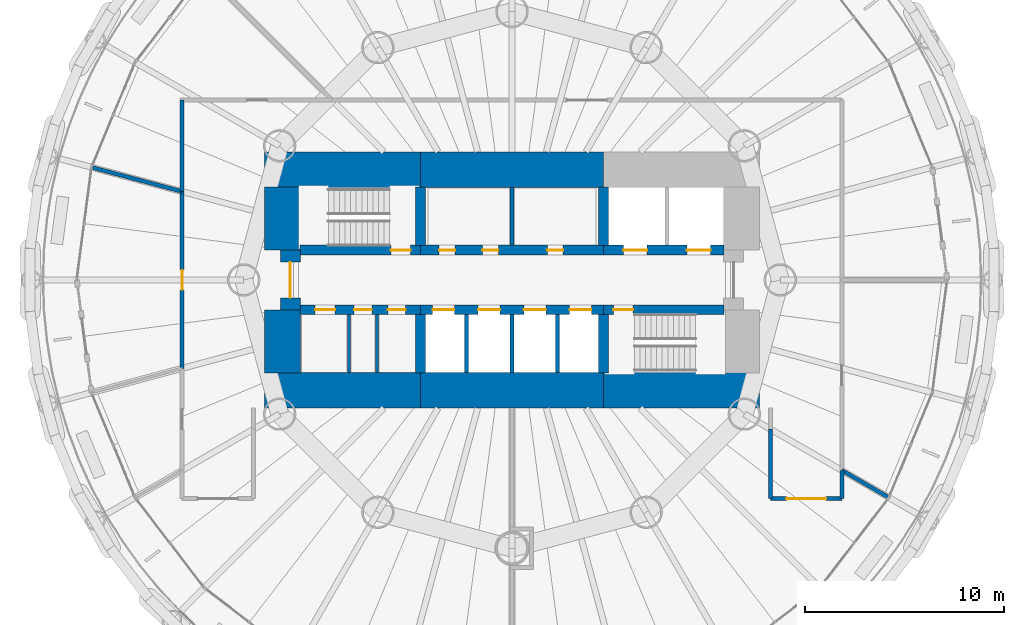
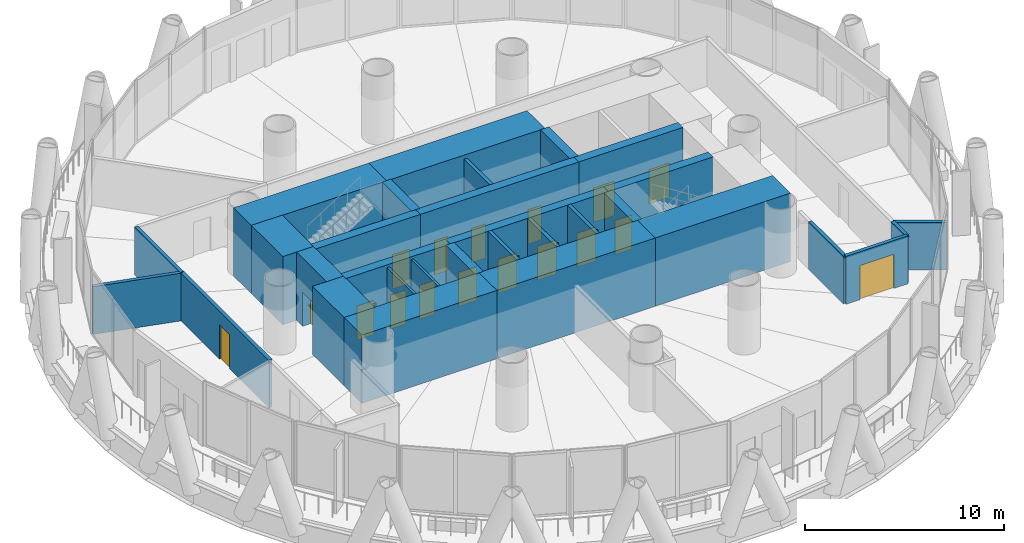
# One storey, part 10 of 15: 31 walls, 17 doors, 17 openings.
"""IFC4 building model written with IfcOpenShell, lengths in metres."""

import ifcopenshell
import ifcopenshell.guid

model = None  # the IFC model being written
_history = None  # IfcOwnerHistory: only IFC2X3 demands one
_inside = {}  # id of a spatial element -> (the spatial element, [elements in it])
_under = {}  # id of a project, library or spatial element -> (it, [spatial elements below it])
_declared = {}  # id of a project -> (the project, [libraries it declares])
_typed = {}  # id of a type object -> (the type object, [elements of that type])
_made_of = {}  # id of a material, layer set ... -> (it, [elements and type objects made of it])


def new_model(schema):
    """Start an empty IFC model of exactly this schema.

    Asked for "IFC4X3", IfcOpenShell would pick the latest addendum, in which some entities
    have other attributes; the version numbers below select the first issue.
    IFC2X3 requires an IfcOwnerHistory on every rooted entity: one is made here for all.
    """
    global model, _history
    if schema == "IFC4X3":
        model = ifcopenshell.file(schema_version=(4, 3, 0, 0))
    else:
        model = ifcopenshell.file(schema=schema)
    _inside.clear()
    _under.clear()
    _declared.clear()
    _typed.clear()
    _made_of.clear()
    _history = None
    if model.schema == "IFC2X3":
        org = make("IfcOrganization", Name="unknown")
        user = make(
            "IfcPersonAndOrganization",
            ThePerson=make("IfcPerson", FamilyName="unknown"),
            TheOrganization=org,
        )
        app = make(
            "IfcApplication",
            ApplicationDeveloper=org,
            Version="unknown",
            ApplicationFullName="unknown",
            ApplicationIdentifier="unknown",
        )
        _history = make(
            "IfcOwnerHistory",
            OwningUser=user,
            OwningApplication=app,
            ChangeAction="ADDED",
            CreationDate=0,
        )
    return model


def make(cls, **values):
    """One entity of the class cls with the attributes given. An attribute that is None is left unset."""
    return model.create_entity(
        cls, **{name: value for name, value in values.items() if value is not None}
    )


def rooted(cls, **values):
    """An entity with a GlobalId (a new one), such as an element, a storey or a relation."""
    return make(cls, GlobalId=ifcopenshell.guid.new(), OwnerHistory=_history, **values)


def si_unit(unit_type, name, prefix=None):
    """IfcSIUnit, for example si_unit("LENGTHUNIT", "METRE", prefix="MILLI")."""
    return make("IfcSIUnit", UnitType=unit_type, Prefix=prefix, Name=name)


def assignment(units):
    """IfcUnitAssignment: the units of a project."""
    return None if units is None else make("IfcUnitAssignment", Units=units)


def point(xyz):
    """IfcCartesianPoint."""
    return None if xyz is None else make("IfcCartesianPoint", Coordinates=xyz)


def direction(xyz):
    """IfcDirection."""
    return None if xyz is None else make("IfcDirection", DirectionRatios=xyz)


def frame(location, z_axis=None, x_axis=None):
    """IfcAxis2Placement3D, a coordinate frame: its origin and axes. An axis left out is left unset."""
    return make(
        "IfcAxis2Placement3D",
        Location=point(location),
        Axis=direction(z_axis),
        RefDirection=direction(x_axis),
    )


def frame_2d(location, x_axis=None):
    """IfcAxis2Placement2D, a coordinate frame in the plane: its origin and x axis."""
    return make(
        "IfcAxis2Placement2D", Location=point(location), RefDirection=direction(x_axis)
    )


def origin():
    """The frame at (0, 0, 0) with its axes left unset."""
    return frame((0.0, 0.0, 0.0))


def place(relative_to, where):
    """IfcLocalPlacement: puts the frame where relative to a parent placement (None: the world)."""
    return make(
        "IfcLocalPlacement", PlacementRelTo=relative_to, RelativePlacement=where
    )


def context(
    kind, dimensions, precision=None, world=None, true_north=None, identifier=None
):
    """IfcGeometricRepresentationContext, for example the 3D "Model" context."""
    return make(
        "IfcGeometricRepresentationContext",
        ContextIdentifier=identifier,
        ContextType=kind,
        CoordinateSpaceDimension=dimensions,
        Precision=precision,
        WorldCoordinateSystem=world,
        TrueNorth=true_north,
    )


def subcontext(parent, identifier, kind, view, scale=None):
    """IfcGeometricRepresentationSubContext, for example "Body" below "Model"."""
    return make(
        "IfcGeometricRepresentationSubContext",
        ContextIdentifier=identifier,
        ContextType=kind,
        ParentContext=parent,
        TargetScale=scale,
        TargetView=view,
    )


def project(units=None, contexts=None):
    """IfcProject with its units and contexts."""
    return rooted(
        "IfcProject",
        Name="project",
        RepresentationContexts=contexts,
        UnitsInContext=assignment(units),
    )


def spatial(cls, under=None, at=None, **own):
    """A site, building, storey or space (cls), placed at a placement, below another one or the project."""
    s = rooted(cls, ObjectPlacement=at, **own)
    if under is not None:
        _under.setdefault(under.id(), (under, []))[1].append(s)
    return s


def profile(cls, at=None, kind="AREA", **sizes):
    """A parametric profile (cls). Its sizes go by their IFC names, for example OverallWidth=200.0."""
    return make(cls, ProfileType=kind, Position=at, **sizes)


def rectangle(**sizes):
    """IfcRectangleProfileDef."""
    return profile("IfcRectangleProfileDef", **sizes)


def extrude(swept, where, along, depth):
    """IfcExtrudedAreaSolid: the profile swept, set in the frame where, extruded along a direction by depth."""
    return make(
        "IfcExtrudedAreaSolid",
        SweptArea=swept,
        Position=where,
        ExtrudedDirection=direction(along),
        Depth=depth,
    )


def shape(context_of_items, identifier, shape_type, items):
    """IfcShapeRepresentation: the items that make up one representation, for example the "Body"."""
    return make(
        "IfcShapeRepresentation",
        ContextOfItems=context_of_items,
        RepresentationIdentifier=identifier,
        RepresentationType=shape_type,
        Items=items,
    )


def material(Name=None, Category=None):
    """IfcMaterial."""
    return make("IfcMaterial", Name=Name, Category=Category)


def layer(
    of_material, thickness, ventilated=None, Name=None, Category=None, Priority=None
):
    """IfcMaterialLayer: one layer of a wall or slab, of a material (None: an air gap)."""
    return make(
        "IfcMaterialLayer",
        Material=of_material,
        LayerThickness=thickness,
        IsVentilated=ventilated,
        Name=Name,
        Category=Category,
        Priority=Priority,
    )


def layer_set(layers, Name=None):
    """IfcMaterialLayerSet."""
    return make("IfcMaterialLayerSet", MaterialLayers=layers, LayerSetName=Name)


def made_of(thing, what):
    """Note that an element or type object is made of a material, layer set ...; save() writes the relation."""
    if what is not None:
        _made_of.setdefault(what.id(), (what, []))[1].append(thing)
    return thing


def type_object(cls, material=None, **own):
    """A type object (cls), such as IfcWallType, which elements share."""
    return made_of(rooted(cls, **own), material)


def element(
    cls,
    number,
    at=None,
    inside=None,
    cuts=None,
    type_object=None,
    material=None,
    context=None,
    identifier="Body",
    shape_type=None,
    held_by="IfcProductDefinitionShape",
    body=None,
    shapes=None,
    **own,
):
    """One element of the class cls, such as IfcWall. Its Tag is "e" and its number.

    at: its placement. inside: the storey or other place that contains it. cuts: it is an
    opening in that element (IfcRelVoidsElement). A single representation is given by context,
    identifier, shape_type and body (its items); several are given by shapes. held_by: the class
    of the entity that holds the representations. save() writes the other relations.
    """
    e = rooted(cls, Tag="e%d" % number, ObjectPlacement=at, **own)
    if body is not None:
        shapes = [shape(context, identifier, shape_type, body)]
    if shapes is not None:
        e.Representation = make(held_by, Representations=shapes)
    if inside is not None:
        _inside.setdefault(inside.id(), (inside, []))[1].append(e)
    if cuts is not None:
        rooted(
            "IfcRelVoidsElement", RelatingBuildingElement=cuts, RelatedOpeningElement=e
        )
    if type_object is not None:
        _typed.setdefault(type_object.id(), (type_object, []))[1].append(e)
    return made_of(e, material)


def fill(opening, filler):
    """IfcRelFillsElement: the door or window that sits in an opening."""
    return rooted(
        "IfcRelFillsElement",
        RelatingOpeningElement=opening,
        RelatedBuildingElement=filler,
    )


def aggregate(whole, parts):
    """IfcRelAggregates: a whole, such as a stair, and the parts it consists of."""
    return rooted("IfcRelAggregates", RelatingObject=whole, RelatedObjects=parts)


def save(model, path):
    """Write the relations noted so far, then the file.

    IfcRelAggregates (storeys below a building ...), IfcRelContainedInSpatialStructure (elements
    in a storey), IfcRelDefinesByType, IfcRelAssociatesMaterial and IfcRelDeclares: one each for
    every whole, place, type object, material and project.
    """
    for whole, parts in _under.values():
        aggregate(whole, parts)
    for where, things in _inside.values():
        rooted(
            "IfcRelContainedInSpatialStructure",
            RelatedElements=things,
            RelatingStructure=where,
        )
    for kind, things in _typed.values():
        rooted("IfcRelDefinesByType", RelatedObjects=things, RelatingType=kind)
    for what, things in _made_of.values():
        rooted("IfcRelAssociatesMaterial", RelatedObjects=things, RelatingMaterial=what)
    for by, libraries in _declared.values():
        rooted("IfcRelDeclares", RelatingContext=by, RelatedDefinitions=libraries)
    model.write(path)


model = new_model("IFC4")

# Units and contexts
model_context = context("Model", 3, precision=1e-05, world=origin(), true_north=direction((0.0, 1.0)))
body_context = subcontext(model_context, "Body", "Model", "MODEL_VIEW")
ifc_project = project(units=[si_unit("LENGTHUNIT", "METRE"), si_unit("AREAUNIT", "SQUARE_METRE"), si_unit("VOLUMEUNIT", "CUBIC_METRE"), si_unit("PLANEANGLEUNIT", "RADIAN"), si_unit("MASSUNIT", "GRAM", prefix="KILO")], contexts=[model_context])

# Site, building, storey
site_placement = place(None, origin())
site = spatial("IfcSite", under=ifc_project, at=site_placement, CompositionType="ELEMENT")
building_placement = place(site_placement, origin())
building = spatial("IfcBuilding", under=site, at=building_placement, Name="Qaws Media Tower", CompositionType="ELEMENT")
storey_placement = place(building_placement, frame((0.0, 0.0, 189.800048828125)))
storey = spatial("IfcBuildingStorey", under=building, at=storey_placement, Name="L43", CompositionType="ELEMENT", Elevation=189.800048828125)

# Wall, opening, door
ifc_material_1 = material(Name="Concrete C60/75", Category="concrete")
ifc_layer_1 = layer(ifc_material_1, 0.5)
ifc_layer_set_1 = layer_set([ifc_layer_1], Name="Core inner wall 500")
wall_type_1 = type_object("IfcWallType", Name="Core inner wall 500", PredefinedType="SHEAR", material=ifc_layer_set_1)
wall_1_placement = place(storey_placement, frame((49.330078125, 51.5, 0.0), z_axis=(0.0, 0.0, 1.0), x_axis=(1.0, 0.0, 0.0)))
wall_1 = element("IfcWall", 1, at=wall_1_placement, inside=storey, type_object=wall_type_1, Name="W339 SW12 core wall SPNW L43", PredefinedType="SHEAR", context=body_context, shape_type="SweptSolid", body=[
    extrude(rectangle(XDim=6.06982421875, YDim=0.5, at=frame_2d((3.034912109375, 0.0))), origin(), (0.0, 0.0, 1.0), 4.199951171875),
])
opening_1_placement = place(wall_1_placement, frame((4.570068359375, 0.0, 0.0)))
opening_1 = element("IfcOpeningElement", 2, at=opening_1_placement, cuts=wall_1, Name="Opening D1", PredefinedType="OPENING", context=body_context, shape_type="SweptSolid", body=[
    extrude(rectangle(XDim=1.0, YDim=2.10009765625, at=frame_2d((0.5, 1.050048828125))), frame((0.0, 0.260009765625, 0.0), z_axis=(0.0, -1.0, 0.0), x_axis=(1.0, 0.0, 0.0)), (0.0, 0.0, 1.0), 0.52001953125),
])
ifc_material_2 = material(Name="Steel, fire rated", Category="steel")
door_type_1 = type_object("IfcDoorType", Name="Stair door 1000 FD120", OperationType="SINGLE_SWING_LEFT", PredefinedType="DOOR", material=ifc_material_2)
door_1_placement = place(opening_1_placement, origin())
door_1 = element("IfcDoor", 3, at=door_1_placement, inside=storey, type_object=door_type_1, Name="D1 stair S1 door L43 in wall W339", OperationType="SINGLE_SWING_LEFT", OverallHeight=2.10009765625, OverallWidth=1.0, PredefinedType="DOOR", context=body_context, shape_type="SweptSolid", body=[
    extrude(rectangle(XDim=1.0, YDim=2.10009765625, at=frame_2d((0.5, 1.050048828125))), frame((0.0, 0.02490234375, 0.0), z_axis=(0.0, -1.0, 0.0), x_axis=(1.0, 0.0, 0.0)), (0.0, 0.0, 1.0), 0.050048828125),
])
fill(opening_1, door_1)

# Wall, openings, doors
wall_2_placement = place(storey_placement, frame((55.39990234375, 51.5, 0.0), z_axis=(0.0, 0.0, 1.0), x_axis=(1.0, 0.0, 0.0)))
wall_2 = element("IfcWall", 4, at=wall_2_placement, inside=storey, type_object=wall_type_1, Name="W332 SW12 core wall SPN L43", PredefinedType="SHEAR", context=body_context, shape_type="SweptSolid", body=[
    extrude(rectangle(XDim=9.2001953125, YDim=0.5, at=frame_2d((4.60009765625, 0.0))), origin(), (0.0, 0.0, 1.0), 4.199951171875),
])
opening_2_placement = place(wall_2_placement, frame((0.9375, 0.0, 0.0)))
opening_2 = element("IfcOpeningElement", 5, at=opening_2_placement, cuts=wall_2, Name="Opening D23", PredefinedType="OPENING", context=body_context, shape_type="SweptSolid", body=[
    extrude(rectangle(XDim=0.800048828125, YDim=2.10009765625, at=frame_2d((0.39990234375, 1.050048828125))), frame((0.0, 0.260009765625, 0.0), z_axis=(0.0, -1.0, 0.0), x_axis=(1.0, 0.0, 0.0)), (0.0, 0.0, 1.0), 0.52001953125),
])
opening_3_placement = place(wall_2_placement, frame((3.112548828125, 0.0, 0.0)))
opening_3 = element("IfcOpeningElement", 6, at=opening_3_placement, cuts=wall_2, Name="Opening D23", PredefinedType="OPENING", context=body_context, shape_type="SweptSolid", body=[
    extrude(rectangle(XDim=0.800048828125, YDim=2.10009765625, at=frame_2d((0.39990234375, 1.050048828125))), frame((0.0, 0.260009765625, 0.0), z_axis=(0.0, -1.0, 0.0), x_axis=(1.0, 0.0, 0.0)), (0.0, 0.0, 1.0), 0.52001953125),
])
opening_4_placement = place(wall_2_placement, frame((6.375, 0.0, 0.0)))
opening_4 = element("IfcOpeningElement", 7, at=opening_4_placement, cuts=wall_2, Name="Opening D23", PredefinedType="OPENING", context=body_context, shape_type="SweptSolid", body=[
    extrude(rectangle(XDim=0.800048828125, YDim=2.10009765625, at=frame_2d((0.39990234375, 1.050048828125))), frame((0.0, 0.260009765625, 0.0), z_axis=(0.0, -1.0, 0.0), x_axis=(1.0, 0.0, 0.0)), (0.0, 0.0, 1.0), 0.52001953125),
])
ifc_material_3 = material(Name="Steel, fire rated", Category="steel")
door_type_2 = type_object("IfcDoorType", Name="Core room door 800x2100", OperationType="SINGLE_SWING_LEFT", PredefinedType="DOOR", material=ifc_material_3)
door_2_placement = place(opening_2_placement, origin())
door_2 = element("IfcDoor", 8, at=door_2_placement, inside=storey, type_object=door_type_2, Name="D23 Ladies toilets door L43 1 in wall W332", OperationType="SINGLE_SWING_LEFT", OverallHeight=2.10009765625, OverallWidth=0.800048828125, PredefinedType="DOOR", context=body_context, shape_type="SweptSolid", body=[
    extrude(rectangle(XDim=0.800048828125, YDim=2.10009765625, at=frame_2d((0.39990234375, 1.050048828125))), frame((0.0, 0.02490234375, 0.0), z_axis=(0.0, -1.0, 0.0), x_axis=(1.0, 0.0, 0.0)), (0.0, 0.0, 1.0), 0.050048828125),
])
fill(opening_2, door_2)
door_3_placement = place(opening_3_placement, origin())
door_3 = element("IfcDoor", 9, at=door_3_placement, inside=storey, type_object=door_type_2, Name="D23 Ladies toilets door L43 2 in wall W332", OperationType="SINGLE_SWING_LEFT", OverallHeight=2.10009765625, OverallWidth=0.800048828125, PredefinedType="DOOR", context=body_context, shape_type="SweptSolid", body=[
    extrude(rectangle(XDim=0.800048828125, YDim=2.10009765625, at=frame_2d((0.39990234375, 1.050048828125))), frame((0.0, 0.02490234375, 0.0), z_axis=(0.0, -1.0, 0.0), x_axis=(1.0, 0.0, 0.0)), (0.0, 0.0, 1.0), 0.050048828125),
])
fill(opening_3, door_3)
door_4_placement = place(opening_4_placement, origin())
door_4 = element("IfcDoor", 10, at=door_4_placement, inside=storey, type_object=door_type_2, Name="D23 Gents toilets door L43 in wall W332", OperationType="SINGLE_SWING_LEFT", OverallHeight=2.10009765625, OverallWidth=0.800048828125, PredefinedType="DOOR", context=body_context, shape_type="SweptSolid", body=[
    extrude(rectangle(XDim=0.800048828125, YDim=2.10009765625, at=frame_2d((0.39990234375, 1.050048828125))), frame((0.0, 0.02490234375, 0.0), z_axis=(0.0, -1.0, 0.0), x_axis=(1.0, 0.0, 0.0)), (0.0, 0.0, 1.0), 0.050048828125),
])
fill(opening_4, door_4)

wall_3_placement = place(storey_placement, frame((64.60009765625, 51.5, 0.0), z_axis=(0.0, 0.0, 1.0), x_axis=(1.0, 0.0, 0.0)))
wall_3 = element("IfcWall", 11, at=wall_3_placement, inside=storey, type_object=wall_type_1, Name="W344 SW12 core wall SPNE L43", PredefinedType="SHEAR", context=body_context, shape_type="SweptSolid", body=[
    extrude(rectangle(XDim=6.06982421875, YDim=0.5, at=frame_2d((3.034912109375, 0.0))), origin(), (0.0, 0.0, 1.0), 4.199951171875),
])
opening_5_placement = place(wall_3_placement, frame((1.0, 0.0, 0.0)))
opening_5 = element("IfcOpeningElement", 12, at=opening_5_placement, cuts=wall_3, Name="Opening LD2", PredefinedType="OPENING", context=body_context, shape_type="SweptSolid", body=[
    extrude(rectangle(XDim=1.199951171875, YDim=2.10009765625, at=frame_2d((0.60009765625, 1.050048828125))), frame((0.0, 0.260009765625, 0.0), z_axis=(0.0, -1.0, 0.0), x_axis=(1.0, 0.0, 0.0)), (0.0, 0.0, 1.0), 0.52001953125),
])
opening_6_placement = place(wall_3_placement, frame((4.199951171875, 0.0, 0.0)))
opening_6 = element("IfcOpeningElement", 13, at=opening_6_placement, cuts=wall_3, Name="Opening LD2", PredefinedType="OPENING", context=body_context, shape_type="SweptSolid", body=[
    extrude(rectangle(XDim=1.199951171875, YDim=2.10009765625, at=frame_2d((0.60009765625, 1.050048828125))), frame((0.0, 0.260009765625, 0.0), z_axis=(0.0, -1.0, 0.0), x_axis=(1.0, 0.0, 0.0)), (0.0, 0.0, 1.0), 0.52001953125),
])
ifc_material_4 = material(Name="Steel, fire rated", Category="steel")
door_type_3 = type_object("IfcDoorType", Name="Lift landing door 1200", OperationType="SLIDING_TO_LEFT", PredefinedType="DOOR", material=ifc_material_4)
door_5_placement = place(opening_5_placement, origin())
door_5 = element("IfcDoor", 14, at=door_5_placement, inside=storey, type_object=door_type_3, Name="FL1 landing door L43 in wall W344", OperationType="SLIDING_TO_LEFT", OverallHeight=2.10009765625, OverallWidth=1.199951171875, PredefinedType="DOOR", context=body_context, shape_type="SweptSolid", body=[
    extrude(rectangle(XDim=1.199951171875, YDim=2.10009765625, at=frame_2d((0.60009765625, 1.050048828125))), frame((0.0, 0.02490234375, 0.0), z_axis=(0.0, -1.0, 0.0), x_axis=(1.0, 0.0, 0.0)), (0.0, 0.0, 1.0), 0.050048828125),
])
fill(opening_5, door_5)
door_6_placement = place(opening_6_placement, origin())
door_6 = element("IfcDoor", 15, at=door_6_placement, inside=storey, type_object=door_type_3, Name="FL2 landing door L43 in wall W344", OperationType="SLIDING_TO_LEFT", OverallHeight=2.10009765625, OverallWidth=1.199951171875, PredefinedType="DOOR", context=body_context, shape_type="SweptSolid", body=[
    extrude(rectangle(XDim=1.199951171875, YDim=2.10009765625, at=frame_2d((0.60009765625, 1.050048828125))), frame((0.0, 0.02490234375, 0.0), z_axis=(0.0, -1.0, 0.0), x_axis=(1.0, 0.0, 0.0)), (0.0, 0.0, 1.0), 0.050048828125),
])
fill(opening_6, door_6)

wall_4_placement = place(storey_placement, frame((49.330078125, 48.5, 0.0), z_axis=(0.0, 0.0, 1.0), x_axis=(1.0, 0.0, 0.0)))
wall_4 = element("IfcWall", 16, at=wall_4_placement, inside=storey, type_object=wall_type_1, Name="W338 SW12 core wall SPSW L43", PredefinedType="SHEAR", context=body_context, shape_type="SweptSolid", body=[
    extrude(rectangle(XDim=6.06982421875, YDim=0.5, at=frame_2d((3.034912109375, 0.0))), origin(), (0.0, 0.0, 1.0), 4.199951171875),
])
opening_7_placement = place(wall_4_placement, frame((0.77001953125, 0.0, 0.0)))
opening_7 = element("IfcOpeningElement", 17, at=opening_7_placement, cuts=wall_4, Name="Opening D4", PredefinedType="OPENING", context=body_context, shape_type="SweptSolid", body=[
    extrude(rectangle(XDim=1.0, YDim=2.10009765625, at=frame_2d((0.5, 1.050048828125))), frame((0.0, 0.260009765625, 0.0), z_axis=(0.0, -1.0, 0.0), x_axis=(1.0, 0.0, 0.0)), (0.0, 0.0, 1.0), 0.52001953125),
])
opening_8_placement = place(wall_4_placement, frame((2.719970703125, 0.0, 0.0)))
opening_8 = element("IfcOpeningElement", 18, at=opening_8_placement, cuts=wall_4, Name="Opening D25", PredefinedType="OPENING", context=body_context, shape_type="SweptSolid", body=[
    extrude(rectangle(XDim=0.89990234375, YDim=2.10009765625, at=frame_2d((0.449951171875, 1.050048828125))), frame((0.0, 0.260009765625, 0.0), z_axis=(0.0, -1.0, 0.0), x_axis=(1.0, 0.0, 0.0)), (0.0, 0.0, 1.0), 0.52001953125),
])
opening_9_placement = place(wall_4_placement, frame((4.419921875, 0.0, 0.0)))
opening_9 = element("IfcOpeningElement", 19, at=opening_9_placement, cuts=wall_4, Name="Opening D25", PredefinedType="OPENING", context=body_context, shape_type="SweptSolid", body=[
    extrude(rectangle(XDim=0.89990234375, YDim=2.10009765625, at=frame_2d((0.449951171875, 1.050048828125))), frame((0.0, 0.260009765625, 0.0), z_axis=(0.0, -1.0, 0.0), x_axis=(1.0, 0.0, 0.0)), (0.0, 0.0, 1.0), 0.52001953125),
])
ifc_material_5 = material(Name="Timber veneered", Category="wood")
door_type_4 = type_object("IfcDoorType", Name="Accessible WC door 1000", OperationType="SLIDING_TO_LEFT", PredefinedType="DOOR", material=ifc_material_5)
door_7_placement = place(opening_7_placement, origin())
door_7 = element("IfcDoor", 20, at=door_7_placement, inside=storey, type_object=door_type_4, Name="D4 toilet door 1 L43 in wall W338", OperationType="SLIDING_TO_LEFT", OverallHeight=2.10009765625, OverallWidth=1.0, PredefinedType="DOOR", context=body_context, shape_type="SweptSolid", body=[
    extrude(rectangle(XDim=1.0, YDim=2.10009765625, at=frame_2d((0.5, 1.050048828125))), frame((0.0, 0.02490234375, 0.0), z_axis=(0.0, -1.0, 0.0), x_axis=(1.0, 0.0, 0.0)), (0.0, 0.0, 1.0), 0.050048828125),
])
fill(opening_7, door_7)
ifc_material_6 = material(Name="Steel, fire rated", Category="steel")
door_type_5 = type_object("IfcDoorType", Name="Core service door 900", OperationType="SINGLE_SWING_RIGHT", PredefinedType="DOOR", material=ifc_material_6)
door_8_placement = place(opening_8_placement, origin())
door_8 = element("IfcDoor", 21, at=door_8_placement, inside=storey, type_object=door_type_5, Name="D25 toilet door 2 L43 in wall W338", OperationType="SINGLE_SWING_RIGHT", OverallHeight=2.10009765625, OverallWidth=0.89990234375, PredefinedType="DOOR", context=body_context, shape_type="SweptSolid", body=[
    extrude(rectangle(XDim=0.89990234375, YDim=2.10009765625, at=frame_2d((0.449951171875, 1.050048828125))), frame((0.0, 0.02490234375, 0.0), z_axis=(0.0, -1.0, 0.0), x_axis=(1.0, 0.0, 0.0)), (0.0, 0.0, 1.0), 0.050048828125),
])
fill(opening_8, door_8)
door_9_placement = place(opening_9_placement, origin())
door_9 = element("IfcDoor", 22, at=door_9_placement, inside=storey, type_object=door_type_5, Name="D25 toilet door 3 L43 in wall W338", OperationType="SINGLE_SWING_RIGHT", OverallHeight=2.10009765625, OverallWidth=0.89990234375, PredefinedType="DOOR", context=body_context, shape_type="SweptSolid", body=[
    extrude(rectangle(XDim=0.89990234375, YDim=2.10009765625, at=frame_2d((0.449951171875, 1.050048828125))), frame((0.0, 0.02490234375, 0.0), z_axis=(0.0, -1.0, 0.0), x_axis=(1.0, 0.0, 0.0)), (0.0, 0.0, 1.0), 0.050048828125),
])
fill(opening_9, door_9)

wall_5_placement = place(storey_placement, frame((55.39990234375, 48.5, 0.0), z_axis=(0.0, 0.0, 1.0), x_axis=(1.0, 0.0, 0.0)))
wall_5 = element("IfcWall", 23, at=wall_5_placement, inside=storey, type_object=wall_type_1, Name="W331 SW12 core wall SPS L43", PredefinedType="SHEAR", context=body_context, shape_type="SweptSolid", body=[
    extrude(rectangle(XDim=9.2001953125, YDim=0.5, at=frame_2d((4.60009765625, 0.0))), origin(), (0.0, 0.0, 1.0), 4.199951171875),
])
opening_10_placement = place(wall_5_placement, frame((0.60009765625, 0.0, 0.0)))
opening_10 = element("IfcOpeningElement", 24, at=opening_10_placement, cuts=wall_5, Name="Opening LD", PredefinedType="OPENING", context=body_context, shape_type="SweptSolid", body=[
    extrude(rectangle(XDim=1.10009765625, YDim=2.10009765625, at=frame_2d((0.550048828125, 1.050048828125))), frame((0.0, 0.260009765625, 0.0), z_axis=(0.0, -1.0, 0.0), x_axis=(1.0, 0.0, 0.0)), (0.0, 0.0, 1.0), 0.52001953125),
])
opening_11_placement = place(wall_5_placement, frame((2.89990234375, 0.0, 0.0)))
opening_11 = element("IfcOpeningElement", 25, at=opening_11_placement, cuts=wall_5, Name="Opening LD", PredefinedType="OPENING", context=body_context, shape_type="SweptSolid", body=[
    extrude(rectangle(XDim=1.10009765625, YDim=2.10009765625, at=frame_2d((0.550048828125, 1.050048828125))), frame((0.0, 0.260009765625, 0.0), z_axis=(0.0, -1.0, 0.0), x_axis=(1.0, 0.0, 0.0)), (0.0, 0.0, 1.0), 0.52001953125),
])
opening_12_placement = place(wall_5_placement, frame((5.199951171875, 0.0, 0.0)))
opening_12 = element("IfcOpeningElement", 26, at=opening_12_placement, cuts=wall_5, Name="Opening LD", PredefinedType="OPENING", context=body_context, shape_type="SweptSolid", body=[
    extrude(rectangle(XDim=1.10009765625, YDim=2.10009765625, at=frame_2d((0.550048828125, 1.050048828125))), frame((0.0, 0.260009765625, 0.0), z_axis=(0.0, -1.0, 0.0), x_axis=(1.0, 0.0, 0.0)), (0.0, 0.0, 1.0), 0.52001953125),
])
opening_13_placement = place(wall_5_placement, frame((7.5, 0.0, 0.0)))
opening_13 = element("IfcOpeningElement", 27, at=opening_13_placement, cuts=wall_5, Name="Opening LD", PredefinedType="OPENING", context=body_context, shape_type="SweptSolid", body=[
    extrude(rectangle(XDim=1.10009765625, YDim=2.10009765625, at=frame_2d((0.550048828125, 1.050048828125))), frame((0.0, 0.260009765625, 0.0), z_axis=(0.0, -1.0, 0.0), x_axis=(1.0, 0.0, 0.0)), (0.0, 0.0, 1.0), 0.52001953125),
])
ifc_material_7 = material(Name="Steel, fire rated", Category="steel")
door_type_6 = type_object("IfcDoorType", Name="Lift landing door 1100", OperationType="SLIDING_TO_LEFT", PredefinedType="DOOR", material=ifc_material_7)
door_10_placement = place(opening_10_placement, origin())
door_10 = element("IfcDoor", 28, at=door_10_placement, inside=storey, type_object=door_type_6, Name="P5 landing door L43 in wall W331", OperationType="SLIDING_TO_LEFT", OverallHeight=2.10009765625, OverallWidth=1.10009765625, PredefinedType="DOOR", context=body_context, shape_type="SweptSolid", body=[
    extrude(rectangle(XDim=1.10009765625, YDim=2.10009765625, at=frame_2d((0.550048828125, 1.050048828125))), frame((0.0, 0.02490234375, 0.0), z_axis=(0.0, -1.0, 0.0), x_axis=(1.0, 0.0, 0.0)), (0.0, 0.0, 1.0), 0.050048828125),
])
fill(opening_10, door_10)
door_11_placement = place(opening_11_placement, origin())
door_11 = element("IfcDoor", 29, at=door_11_placement, inside=storey, type_object=door_type_6, Name="P6 landing door L43 in wall W331", OperationType="SLIDING_TO_LEFT", OverallHeight=2.10009765625, OverallWidth=1.10009765625, PredefinedType="DOOR", context=body_context, shape_type="SweptSolid", body=[
    extrude(rectangle(XDim=1.10009765625, YDim=2.10009765625, at=frame_2d((0.550048828125, 1.050048828125))), frame((0.0, 0.02490234375, 0.0), z_axis=(0.0, -1.0, 0.0), x_axis=(1.0, 0.0, 0.0)), (0.0, 0.0, 1.0), 0.050048828125),
])
fill(opening_11, door_11)
door_12_placement = place(opening_12_placement, origin())
door_12 = element("IfcDoor", 30, at=door_12_placement, inside=storey, type_object=door_type_6, Name="P7 landing door L43 in wall W331", OperationType="SLIDING_TO_LEFT", OverallHeight=2.10009765625, OverallWidth=1.10009765625, PredefinedType="DOOR", context=body_context, shape_type="SweptSolid", body=[
    extrude(rectangle(XDim=1.10009765625, YDim=2.10009765625, at=frame_2d((0.550048828125, 1.050048828125))), frame((0.0, 0.02490234375, 0.0), z_axis=(0.0, -1.0, 0.0), x_axis=(1.0, 0.0, 0.0)), (0.0, 0.0, 1.0), 0.050048828125),
])
fill(opening_12, door_12)
door_13_placement = place(opening_13_placement, origin())
door_13 = element("IfcDoor", 31, at=door_13_placement, inside=storey, type_object=door_type_6, Name="P8 landing door L43 in wall W331", OperationType="SLIDING_TO_LEFT", OverallHeight=2.10009765625, OverallWidth=1.10009765625, PredefinedType="DOOR", context=body_context, shape_type="SweptSolid", body=[
    extrude(rectangle(XDim=1.10009765625, YDim=2.10009765625, at=frame_2d((0.550048828125, 1.050048828125))), frame((0.0, 0.02490234375, 0.0), z_axis=(0.0, -1.0, 0.0), x_axis=(1.0, 0.0, 0.0)), (0.0, 0.0, 1.0), 0.050048828125),
])
fill(opening_13, door_13)

# Wall, opening, door
wall_6_placement = place(storey_placement, frame((64.60009765625, 48.5, 0.0), z_axis=(0.0, 0.0, 1.0), x_axis=(1.0, 0.0, 0.0)))
wall_6 = element("IfcWall", 32, at=wall_6_placement, inside=storey, type_object=wall_type_1, Name="W343 SW12 core wall SPSE L43", PredefinedType="SHEAR", context=body_context, shape_type="SweptSolid", body=[
    extrude(rectangle(XDim=6.06982421875, YDim=0.5, at=frame_2d((3.034912109375, 0.0))), origin(), (0.0, 0.0, 1.0), 4.199951171875),
])
opening_14_placement = place(wall_6_placement, frame((0.5, 0.0, 0.0)))
opening_14 = element("IfcOpeningElement", 33, at=opening_14_placement, cuts=wall_6, Name="Opening D1", PredefinedType="OPENING", context=body_context, shape_type="SweptSolid", body=[
    extrude(rectangle(XDim=1.0, YDim=2.10009765625, at=frame_2d((0.5, 1.050048828125))), frame((0.0, 0.260009765625, 0.0), z_axis=(0.0, -1.0, 0.0), x_axis=(1.0, 0.0, 0.0)), (0.0, 0.0, 1.0), 0.52001953125),
])
door_14_placement = place(opening_14_placement, origin())
door_14 = element("IfcDoor", 34, at=door_14_placement, inside=storey, type_object=door_type_1, Name="D1 stair S2 door L43 in wall W343", OperationType="SINGLE_SWING_LEFT", OverallHeight=2.10009765625, OverallWidth=1.0, PredefinedType="DOOR", context=body_context, shape_type="SweptSolid", body=[
    extrude(rectangle(XDim=1.0, YDim=2.10009765625, at=frame_2d((0.5, 1.050048828125))), frame((0.0, 0.02490234375, 0.0), z_axis=(0.0, -1.0, 0.0), x_axis=(1.0, 0.0, 0.0)), (0.0, 0.0, 1.0), 0.050048828125),
])
fill(opening_14, door_14)

# Walls
for number, where, z_axis, x_axis, name in (
    (35, (55.39990234375, 51.72998046875, 0.0), (0.0, 0.0, 1.0), (0.0, 1.0, 0.0), "W341 SW12 core wall XNW L43"),
    (36, (64.60009765625, 51.72998046875, 0.0), (0.0, 0.0, 1.0), (0.0, 1.0, 0.0), "W345 SW12 core wall XNE L43"),
    (37, (55.39990234375, 48.27001953125, 0.0), (0.0, 0.0, 1.0), (0.0, -1.0, 0.0), "W340 SW12 core wall XSW L43"),
    (38, (64.60009765625, 48.27001953125, 0.0), (0.0, 0.0, 1.0), (0.0, -1.0, 0.0), "W342 SW12 core wall XSE L43"),
):
    element("IfcWall", number, at=place(storey_placement, frame(where, z_axis=z_axis, x_axis=x_axis)), inside=storey, type_object=wall_type_1, Name=name, PredefinedType="SHEAR", context=body_context, shape_type="SweptSolid", body=[
        extrude(rectangle(XDim=2.93994140625, YDim=0.5, at=frame_2d((1.469970703125, 0.0))), origin(), (0.0, 0.0, 1.0), 4.199951171875),
    ])

# Wall, opening, door
ifc_material_8 = material(Name="Concrete C60/75", Category="concrete")
ifc_layer_2 = layer(ifc_material_8, 1.0)
ifc_layer_set_2 = layer_set([ifc_layer_2], Name="Core wall 1000")
wall_type_2 = type_object("IfcWallType", Name="Core wall 1000", PredefinedType="SHEAR", material=ifc_layer_set_2)
wall_7_placement = place(storey_placement, frame((48.85009765625, 48.5, 0.0), z_axis=(0.0, 0.0, 1.0), x_axis=(0.0, 1.0, 0.0)))
wall_7 = element("IfcWall", 39, at=wall_7_placement, inside=storey, type_object=wall_type_2, Name="W366 SW8 core wall W L43", PredefinedType="SHEAR", context=body_context, shape_type="SweptSolid", body=[
    extrude(rectangle(XDim=3.0, YDim=1.0, at=frame_2d((1.5, 0.0))), origin(), (0.0, 0.0, 1.0), 4.199951171875),
])
opening_15_placement = place(wall_7_placement, frame((0.60009765625, 0.0, 0.0)))
opening_15 = element("IfcOpeningElement", 40, at=opening_15_placement, cuts=wall_7, Name="Opening D2", PredefinedType="OPENING", context=body_context, shape_type="SweptSolid", body=[
    extrude(rectangle(XDim=1.800048828125, YDim=2.10009765625, at=frame_2d((0.89990234375, 1.050048828125))), frame((0.0, 0.510009765625, 0.0), z_axis=(0.0, -1.0, 0.0), x_axis=(1.0, 0.0, 0.0)), (0.0, 0.0, 1.0), 1.02001953125),
])
ifc_material_9 = material(Name="Steel and glass, fire rated", Category="steel")
door_type_7 = type_object("IfcDoorType", Name="Lobby door pair 1800 FD60", OperationType="DOUBLE_DOOR_DOUBLE_SWING", PredefinedType="DOOR", material=ifc_material_9)
door_15_placement = place(opening_15_placement, origin())
door_15 = element("IfcDoor", 41, at=door_15_placement, inside=storey, type_object=door_type_7, Name="D2 core lobby door W L43 in wall W366", OperationType="DOUBLE_DOOR_DOUBLE_SWING", OverallHeight=2.10009765625, OverallWidth=1.800048828125, PredefinedType="DOOR", context=body_context, shape_type="SweptSolid", body=[
    extrude(rectangle(XDim=1.800048828125, YDim=2.10009765625, at=frame_2d((0.89990234375, 1.050048828125))), frame((0.0, 0.02490234375, 0.0), z_axis=(0.0, -1.0, 0.0), x_axis=(1.0, 0.0, 0.0)), (0.0, 0.0, 1.0), 0.050048828125),
])
fill(opening_15, door_15)

# Walls
ifc_material_10 = material(Name="Concrete C60/75", Category="concrete")
ifc_layer_3 = layer(ifc_material_10, 1.800048828125)
ifc_layer_set_3 = layer_set([ifc_layer_3], Name="Core wall 1800")
wall_type_3 = type_object("IfcWallType", Name="Core wall 1800", PredefinedType="SHEAR", material=ifc_layer_set_3)
wall_8_placement = place(storey_placement, frame((47.550048828125, 55.550048828125, 0.0), z_axis=(0.0, 0.0, 1.0), x_axis=(1.0, 0.0, 0.0)))
element("IfcWall", 42, at=wall_8_placement, inside=storey, type_object=wall_type_3, Name="W417 SW11 core wall NW L43", PredefinedType="SHEAR", context=body_context, shape_type="SweptSolid", body=[
    extrude(rectangle(XDim=7.849853515625, YDim=1.800048828125, at=frame_2d((3.9248046875, 0.0))), origin(), (0.0, 0.0, 1.0), 4.199951171875),
])
wall_9_placement = place(storey_placement, frame((55.39990234375, 55.550048828125, 0.0), z_axis=(0.0, 0.0, 1.0), x_axis=(1.0, 0.0, 0.0)))
element("IfcWall", 43, at=wall_9_placement, inside=storey, type_object=wall_type_3, Name="W421 SW11 core wall N L43", PredefinedType="SHEAR", context=body_context, shape_type="SweptSolid", body=[
    extrude(rectangle(XDim=9.2001953125, YDim=1.800048828125, at=frame_2d((4.60009765625, 0.0))), origin(), (0.0, 0.0, 1.0), 4.199951171875),
])
wall_10_placement = place(storey_placement, frame((47.550048828125, 44.449951171875, 0.0), z_axis=(0.0, 0.0, 1.0), x_axis=(1.0, 0.0, 0.0)))
element("IfcWall", 44, at=wall_10_placement, inside=storey, type_object=wall_type_3, Name="W416 SW11 core wall SW L43", PredefinedType="SHEAR", context=body_context, shape_type="SweptSolid", body=[
    extrude(rectangle(XDim=7.849853515625, YDim=1.800048828125, at=frame_2d((3.9248046875, 0.0))), origin(), (0.0, 0.0, 1.0), 4.199951171875),
])
wall_11_placement = place(storey_placement, frame((55.39990234375, 44.449951171875, 0.0), z_axis=(0.0, 0.0, 1.0), x_axis=(1.0, 0.0, 0.0)))
element("IfcWall", 45, at=wall_11_placement, inside=storey, type_object=wall_type_3, Name="W420 SW11 core wall S L43", PredefinedType="SHEAR", context=body_context, shape_type="SweptSolid", body=[
    extrude(rectangle(XDim=9.2001953125, YDim=1.800048828125, at=frame_2d((4.60009765625, 0.0))), origin(), (0.0, 0.0, 1.0), 4.199951171875),
])
wall_12_placement = place(storey_placement, frame((64.60009765625, 44.449951171875, 0.0), z_axis=(0.0, 0.0, 1.0), x_axis=(1.0, 0.0, 0.0)))
element("IfcWall", 46, at=wall_12_placement, inside=storey, type_object=wall_type_3, Name="W422 SW11 core wall SE L43", PredefinedType="SHEAR", context=body_context, shape_type="SweptSolid", body=[
    extrude(rectangle(XDim=7.849853515625, YDim=1.800048828125, at=frame_2d((3.9248046875, 0.0))), origin(), (0.0, 0.0, 1.0), 4.199951171875),
])
for number, where, z_axis, x_axis, name in (
    (47, (48.449951171875, 45.330078125, 0.0), (0.0, 0.0, 1.0), (0.0, 1.0, 0.0), "W418 SW11 core wall WS L43"),
    (48, (48.449951171875, 51.5, 0.0), (0.0, 0.0, 1.0), (0.0, 1.0, 0.0), "W419 SW11 core wall WN L43"),
):
    element("IfcWall", number, at=place(storey_placement, frame(where, z_axis=z_axis, x_axis=x_axis)), inside=storey, type_object=wall_type_3, Name=name, PredefinedType="SHEAR", context=body_context, shape_type="SweptSolid", body=[
        extrude(rectangle(XDim=3.169921875, YDim=1.800048828125, at=frame_2d((1.5849609375, 0.0))), origin(), (0.0, 0.0, 1.0), 4.199951171875),
    ])
ifc_material_11 = material(Name="Gypsum board on galvanised metal studs, acoustic double stud, deflection head", Category="gypsum")
ifc_layer_4 = layer(ifc_material_11, 0.199951171875)
ifc_layer_set_4 = layer_set([ifc_layer_4], Name="Room partition 200")
wall_type_4 = type_object("IfcWallType", Name="Room partition 200", PredefinedType="PARTITIONING", material=ifc_layer_set_4)
wall_13_placement = place(storey_placement, frame((76.60009765625, 40.416015625, 0.0), z_axis=(0.0, 0.0, 1.0), x_axis=(0.0, -1.0, 0.0)))
element("IfcWall", 49, at=wall_13_placement, inside=storey, type_object=wall_type_4, Name="W1461 IW3 partition L43", PredefinedType="PARTITIONING", context=body_context, shape_type="SweptSolid", body=[
    extrude(rectangle(XDim=1.416015625, YDim=0.199951171875, at=frame_2d((0.7080078125, 0.0))), origin(), (0.0, 0.0, 1.0), 2.929931640625),
])

# Wall, opening, door
wall_14_placement = place(storey_placement, frame((76.60009765625, 39.0, 0.0), z_axis=(0.0, 0.0, 1.0), x_axis=(-1.0, 0.0, 0.0)))
wall_14 = element("IfcWall", 50, at=wall_14_placement, inside=storey, type_object=wall_type_4, Name="W1460 IW3 partition L43", PredefinedType="PARTITIONING", context=body_context, shape_type="SweptSolid", body=[
    extrude(rectangle(XDim=3.60009765625, YDim=0.199951171875, at=frame_2d((1.800048828125, 0.0))), origin(), (0.0, 0.0, 1.0), 2.949951171875),
])
opening_16_placement = place(wall_14_placement, frame((0.800048828125, 0.0, 0.0)))
opening_16 = element("IfcOpeningElement", 51, at=opening_16_placement, cuts=wall_14, Name="Opening D6", PredefinedType="OPENING", context=body_context, shape_type="SweptSolid", body=[
    extrude(rectangle(XDim=2.0, YDim=2.10009765625, at=frame_2d((1.0, 1.050048828125))), frame((0.0, 0.10986328125, 0.0), z_axis=(0.0, -1.0, 0.0), x_axis=(1.0, 0.0, 0.0)), (0.0, 0.0, 1.0), 0.219970703125),
])
ifc_material_12 = material(Name="Steel, acoustic, fire rated", Category="steel")
door_type_8 = type_object("IfcDoorType", Name="Room door pair 2000", OperationType="DOUBLE_DOOR_DOUBLE_SWING", PredefinedType="DOOR", material=ifc_material_12)
door_16_placement = place(opening_16_placement, origin())
door_16 = element("IfcDoor", 52, at=door_16_placement, inside=storey, type_object=door_type_8, Name="D6 Content studio door L43 in wall W1460", OperationType="DOUBLE_DOOR_DOUBLE_SWING", OverallHeight=2.10009765625, OverallWidth=2.0, PredefinedType="DOOR", context=body_context, shape_type="SweptSolid", body=[
    extrude(rectangle(XDim=2.0, YDim=2.10009765625, at=frame_2d((1.0, 1.050048828125))), frame((0.0, 0.02490234375, 0.0), z_axis=(0.0, -1.0, 0.0), x_axis=(1.0, 0.0, 0.0)), (0.0, 0.0, 1.0), 0.050048828125),
])
fill(opening_16, door_16)

# Wall
wall_15_placement = place(storey_placement, frame((73.0, 39.0, 0.0), z_axis=(0.0, 0.0, 1.0), x_axis=(0.0, 1.0, 0.0)))
element("IfcWall", 53, at=wall_15_placement, inside=storey, type_object=wall_type_4, Name="W1457 IW3 partition L43", PredefinedType="PARTITIONING", context=body_context, shape_type="SweptSolid", body=[
    extrude(rectangle(XDim=3.494384765625, YDim=0.199951171875, at=frame_2d((1.7470703125, 0.0))), origin(), (0.0, 0.0, 1.0), 2.929931640625),
])

# Wall, opening, door
wall_16_placement = place(storey_placement, frame((43.39990234375, 45.552001953125, 0.0), z_axis=(0.0, 0.0, 1.0), x_axis=(0.0, 1.0, 0.0)))
wall_16 = element("IfcWall", 54, at=wall_16_placement, inside=storey, type_object=wall_type_4, Name="W1442 IW3 partition L43", PredefinedType="PARTITIONING", context=body_context, shape_type="SweptSolid", body=[
    extrude(rectangle(XDim=8.89599609375, YDim=0.199951171875, at=frame_2d((4.447998046875, 0.0))), origin(), (0.0, 0.0, 1.0), 2.929931640625),
])
opening_17_placement = place(wall_16_placement, frame((3.947998046875, 0.0, 0.0)))
opening_17 = element("IfcOpeningElement", 55, at=opening_17_placement, cuts=wall_16, Name="Opening D5", PredefinedType="OPENING", context=body_context, shape_type="SweptSolid", body=[
    extrude(rectangle(XDim=1.0, YDim=2.10009765625, at=frame_2d((0.5, 1.050048828125))), frame((0.0, 0.10986328125, 0.0), z_axis=(0.0, -1.0, 0.0), x_axis=(1.0, 0.0, 0.0)), (0.0, 0.0, 1.0), 0.219970703125),
])
ifc_material_13 = material(Name="Timber veneered, acoustic seal", Category="wood")
door_type_9 = type_object("IfcDoorType", Name="Room door 1000", OperationType="SINGLE_SWING_LEFT", PredefinedType="DOOR", material=ifc_material_13)
door_17_placement = place(opening_17_placement, origin())
door_17 = element("IfcDoor", 56, at=door_17_placement, inside=storey, type_object=door_type_9, Name="D5 Photo studio door L43 in wall W1442", OperationType="SINGLE_SWING_LEFT", OverallHeight=2.10009765625, OverallWidth=1.0, PredefinedType="DOOR", context=body_context, shape_type="SweptSolid", body=[
    extrude(rectangle(XDim=1.0, YDim=2.10009765625, at=frame_2d((0.5, 1.050048828125))), frame((0.0, 0.02490234375, 0.0), z_axis=(0.0, -1.0, 0.0), x_axis=(1.0, 0.0, 0.0)), (0.0, 0.0, 1.0), 0.050048828125),
])
fill(opening_17, door_17)

# Walls
wall_17_placement = place(storey_placement, frame((43.39990234375, 54.447998046875, 0.0), z_axis=(0.0, 0.0, 1.0), x_axis=(0.0, 1.0, 0.0)))
element("IfcWall", 57, at=wall_17_placement, inside=storey, type_object=wall_type_4, Name="W1443 IW3 partition L43", PredefinedType="PARTITIONING", context=body_context, shape_type="SweptSolid", body=[
    extrude(rectangle(XDim=4.60205078125, YDim=0.199951171875, at=frame_2d((2.301025390625, 0.0))), origin(), (0.0, 0.0, 1.0), 2.929931640625),
])
wall_18_placement = place(storey_placement, frame((43.405517578125, 54.446533203125, 0.0), z_axis=(0.0, 0.0, 1.0), x_axis=(-0.965930354879, 0.258802143582, 0.0)))
element("IfcWall", 58, at=wall_18_placement, inside=storey, type_object=wall_type_4, Name="W1445 IW3 partition L43", PredefinedType="PARTITIONING", context=body_context, shape_type="SweptSolid", body=[
    extrude(rectangle(XDim=4.679931640625, YDim=0.199951171875, at=frame_2d((2.33984375, 0.0))), origin(), (0.0, 0.0, 1.0), 2.929931640625),
])
wall_19_placement = place(storey_placement, frame((76.593017578125, 40.419921875, 0.0), z_axis=(0.0, 0.0, 1.0), x_axis=(0.866059108428, -0.4999416173, 0.0)))
element("IfcWall", 59, at=wall_19_placement, inside=storey, type_object=wall_type_4, Name="W1459 IW3 partition L43", PredefinedType="PARTITIONING", context=body_context, shape_type="SweptSolid", body=[
    extrude(rectangle(XDim=2.699951171875, YDim=0.199951171875, at=frame_2d((1.35009765625, 0.0))), origin(), (0.0, 0.0, 1.0), 2.929931640625),
])
wall_20_placement = place(storey_placement, frame((60.0, 51.75, 0.0), z_axis=(0.0, 0.0, 1.0), x_axis=(0.0, 1.0, 0.0)))
element("IfcWall", 60, at=wall_20_placement, inside=storey, type_object=wall_type_4, Name="W1455 IW3 core room partition 1 L43", PredefinedType="PARTITIONING", context=body_context, shape_type="SweptSolid", body=[
    extrude(rectangle(XDim=2.89990234375, YDim=0.199951171875, at=frame_2d((1.449951171875, 0.0))), origin(), (0.0, 0.0, 1.0), 3.949951171875),
])
ifc_material_14 = material(Name="Fire-rated gypsum board shaft wall on galvanised metal studs, deflection head", Category="gypsum")
ifc_layer_5 = layer(ifc_material_14, 0.199951171875)
ifc_layer_set_5 = layer_set([ifc_layer_5], Name="Shaft wall 200")
wall_type_5 = type_object("IfcWallType", Name="Shaft wall 200", PredefinedType="PARTITIONING", material=ifc_layer_set_5)
for number, where, z_axis, x_axis, name in (
    (61, (57.699951171875, 45.35009765625, 0.0), (0.0, 0.0, 1.0), (0.0, 1.0, 0.0), "W1853 IW1 shaft wall S1 L43"),
    (62, (60.0, 45.35009765625, 0.0), (0.0, 0.0, 1.0), (0.0, 1.0, 0.0), "W1855 IW1 shaft wall S2 L43"),
    (63, (62.300048828125, 45.35009765625, 0.0), (0.0, 0.0, 1.0), (0.0, 1.0, 0.0), "W1857 IW1 shaft wall S3 L43"),
):
    element("IfcWall", number, at=place(storey_placement, frame(where, z_axis=z_axis, x_axis=x_axis)), inside=storey, type_object=wall_type_5, Name=name, PredefinedType="PARTITIONING", context=body_context, shape_type="SweptSolid", body=[
        extrude(rectangle(XDim=2.89990234375, YDim=0.199951171875, at=frame_2d((1.449951171875, 0.0))), origin(), (0.0, 0.0, 1.0), 4.199951171875),
    ])
ifc_material_15 = material(Name="Gypsum board on galvanised metal studs, deflection head", Category="gypsum")
ifc_layer_6 = layer(ifc_material_15, 0.14990234375)
ifc_layer_set_6 = layer_set([ifc_layer_6], Name="WC partition 150")
wall_type_6 = type_object("IfcWallType", Name="WC partition 150", PredefinedType="PARTITIONING", material=ifc_layer_set_6)
for number, where, z_axis, x_axis, name in (
    (64, (51.800048828125, 45.35009765625, 0.0), (0.0, 0.0, 1.0), (0.0, 1.0, 0.0), "W1918 IW2 toilet partition 1 L43"),
    (65, (53.199951171875, 45.35009765625, 0.0), (0.0, 0.0, 1.0), (0.0, 1.0, 0.0), "W1910 IW2 toilet partition 2 L43"),
):
    element("IfcWall", number, at=place(storey_placement, frame(where, z_axis=z_axis, x_axis=x_axis)), inside=storey, type_object=wall_type_6, Name=name, PredefinedType="PARTITIONING", context=body_context, shape_type="SweptSolid", body=[
        extrude(rectangle(XDim=2.89990234375, YDim=0.14990234375, at=frame_2d((1.449951171875, 0.0))), origin(), (0.0, 0.0, 1.0), 4.0400390625),
    ])

save(model, "model.ifc")
